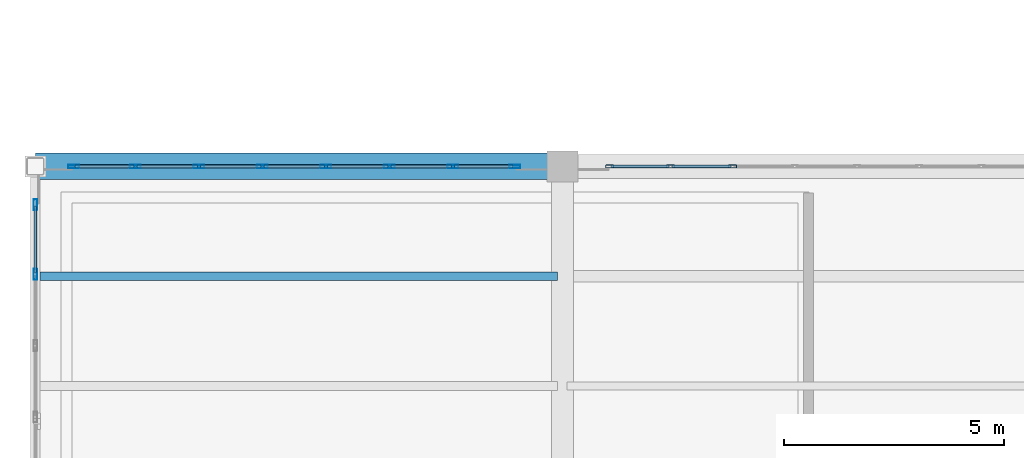
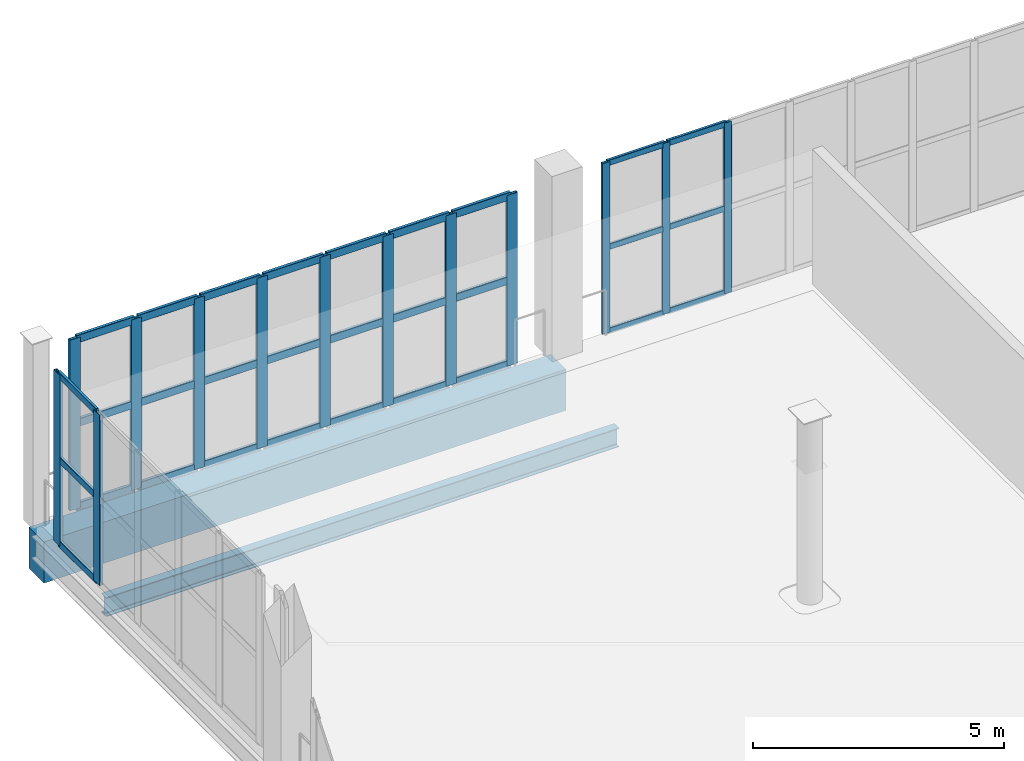
# One storey, part 19 of 108: 43 members, 2 beams, 3 elements without a shape of their own.
"""IFC4 building model written with IfcOpenShell, lengths in metres."""

from ifc_helpers import new_model, si_unit, direction, frame, origin, origin_2d, place, context, subcontext, project, spatial, rectangle, hollow_rectangle, i_section, extrude, material, layer, layer_set, material_profile, profile_set, type_object, element, aggregate, save


model = new_model("IFC4")

# Units and contexts
model_context = context("Model", 3, precision=1e-05, world=origin(), true_north=direction((0.0, 1.0)))
body_context = subcontext(model_context, "Body", "Model", "MODEL_VIEW")
ifc_project = project(units=[si_unit("LENGTHUNIT", "METRE"), si_unit("AREAUNIT", "SQUARE_METRE"), si_unit("VOLUMEUNIT", "CUBIC_METRE"), si_unit("PLANEANGLEUNIT", "RADIAN"), si_unit("MASSUNIT", "GRAM", prefix="KILO")], contexts=[model_context])

# Site, building, storey
site_placement = place(None, origin())
site = spatial("IfcSite", under=ifc_project, at=site_placement, CompositionType="ELEMENT")
building_placement = place(site_placement, origin())
building = spatial("IfcBuilding", under=site, at=building_placement, Name="Brinegate Civic Arena", CompositionType="ELEMENT")
storey_placement = place(building_placement, frame((0.0, 0.0, 10.199951171875)))
storey = spatial("IfcBuildingStorey", under=building, at=storey_placement, Name="L02", CompositionType="ELEMENT", Elevation=10.199951171875)

# Curtain wall, members
ifc_material_1 = material(Name="Marine grade aluminium", Category="aluminium")
ifc_layer = layer(ifc_material_1, 0.18505859375, Name="Marine grade aluminium")
ifc_layer_set = layer_set([ifc_layer], Name="Marine grade aluminium")
curtain_wall_type = type_object("IfcCurtainWallType", Name="CW-WING-GLAZED-03", PredefinedType="USERDEFINED", material=ifc_layer_set)
curtain_wall_1_placement = place(storey_placement, origin())
curtain_wall_1 = element("IfcCurtainWall", 1, at=curtain_wall_1_placement, inside=storey, type_object=curtain_wall_type, Name="Curtain Wall CWA-022", ObjectType="GLAZED CURTAIN WALL", PredefinedType="USERDEFINED")
ifc_material_profile_1 = material_profile(ifc_material_1, hollow_rectangle(XDim=0.06494140625, YDim=0.179931640625, WallThickness=0.0048828125, InnerFilletRadius=0.00390625, OuterFilletRadius=0.008056640625, at=origin_2d()), Name="MUL65X180")
ifc_profile_set_1 = profile_set([ifc_material_profile_1], Name="Marine grade aluminium")
member_type_1 = type_object("IfcMemberType", Name="CW-MULLION-65X180", PredefinedType="MULLION", material=ifc_profile_set_1)
member_1_placement = place(storey_placement, frame((13.077392578125, 52.0, 0.0), z_axis=(0.0, 0.0, 1.0), x_axis=(0.0, 1.0, 0.0)))
member_1 = element("IfcMember", 2, at=member_1_placement, type_object=member_type_1, Name="CWA-022 mullion 1", PredefinedType="MULLION", context=body_context, shape_type="SweptSolid", body=[
    extrude(hollow_rectangle(XDim=0.06494140625, YDim=0.179931640625, WallThickness=0.0048828125, InnerFilletRadius=0.00390625, OuterFilletRadius=0.008056640625, at=origin_2d()), origin(), (0.0, 0.0, 1.0), 4.150146484375),
])
member_2_placement = place(storey_placement, frame((14.460693359375, 52.0, 0.0), z_axis=(0.0, 0.0, 1.0), x_axis=(0.0, 1.0, 0.0)))
member_2 = element("IfcMember", 3, at=member_2_placement, type_object=member_type_1, Name="CWA-022 mullion 2", PredefinedType="MULLION", context=body_context, shape_type="SweptSolid", body=[
    extrude(hollow_rectangle(XDim=0.06494140625, YDim=0.179931640625, WallThickness=0.0048828125, InnerFilletRadius=0.00390625, OuterFilletRadius=0.008056640625, at=origin_2d()), origin(), (0.0, 0.0, 1.0), 4.150146484375),
])
member_3_placement = place(storey_placement, frame((15.87646484375, 52.0, 0.0), z_axis=(0.0, 0.0, 1.0), x_axis=(0.0, 1.0, 0.0)))
member_3 = element("IfcMember", 4, at=member_3_placement, type_object=member_type_1, Name="CWA-022 mullion 3", PredefinedType="MULLION", context=body_context, shape_type="SweptSolid", body=[
    extrude(hollow_rectangle(XDim=0.06494140625, YDim=0.179931640625, WallThickness=0.0048828125, InnerFilletRadius=0.00390625, OuterFilletRadius=0.008056640625, at=origin_2d()), origin(), (0.0, 0.0, 1.0), 4.150146484375),
])

curtain_wall_2_placement = place(storey_placement, origin())
curtain_wall_2 = element("IfcCurtainWall", 5, at=curtain_wall_2_placement, inside=storey, type_object=curtain_wall_type, Name="Curtain Wall CWA-021", ObjectType="GLAZED CURTAIN WALL", PredefinedType="USERDEFINED")
ifc_material_profile_2 = material_profile(ifc_material_1, hollow_rectangle(XDim=0.074951171875, YDim=0.25, WallThickness=0.006103515625, InnerFilletRadius=0.00390625, OuterFilletRadius=0.008056640625, at=origin_2d()), Name="MUL75X250")
ifc_profile_set_2 = profile_set([ifc_material_profile_2], Name="Marine grade aluminium")
member_type_2 = type_object("IfcMemberType", Name="CW-MULLION-75X250", PredefinedType="MULLION", material=ifc_profile_set_2)
member_4_placement = place(storey_placement, frame((0.0, 49.54248046875, 0.0), z_axis=(0.0, 0.0, 1.0), x_axis=(-1.0, 0.0, 0.0)))
member_4 = element("IfcMember", 6, at=member_4_placement, type_object=member_type_2, Name="CWA-021 mullion 5", PredefinedType="MULLION", context=body_context, shape_type="SweptSolid", body=[
    extrude(hollow_rectangle(XDim=0.074951171875, YDim=0.25, WallThickness=0.006103515625, InnerFilletRadius=0.00390625, OuterFilletRadius=0.008056640625, at=origin_2d()), origin(), (0.0, 0.0, 1.0), 4.150146484375),
])
member_5_placement = place(storey_placement, frame((0.0, 51.12939453125, 0.0), z_axis=(0.0, 0.0, 1.0), x_axis=(-1.0, 0.0, 0.0)))
member_5 = element("IfcMember", 7, at=member_5_placement, type_object=member_type_2, Name="CWA-021 mullion 6", PredefinedType="MULLION", context=body_context, shape_type="SweptSolid", body=[
    extrude(hollow_rectangle(XDim=0.074951171875, YDim=0.25, WallThickness=0.006103515625, InnerFilletRadius=0.00390625, OuterFilletRadius=0.008056640625, at=origin_2d()), origin(), (0.0, 0.0, 1.0), 4.150146484375),
])

curtain_wall_3_placement = place(storey_placement, origin())
curtain_wall_3 = element("IfcCurtainWall", 8, at=curtain_wall_3_placement, inside=storey, type_object=curtain_wall_type, Name="Curtain Wall CWA-094", ObjectType="GLAZED CURTAIN WALL", PredefinedType="USERDEFINED")
member_6_placement = place(storey_placement, frame((0.87060546875, 52.0, 0.0), z_axis=(0.0, 0.0, 1.0), x_axis=(0.0, 1.0, 0.0)))
member_6 = element("IfcMember", 9, at=member_6_placement, type_object=member_type_2, Name="CWA-094 mullion 1", PredefinedType="MULLION", context=body_context, shape_type="SweptSolid", body=[
    extrude(hollow_rectangle(XDim=0.074951171875, YDim=0.25, WallThickness=0.006103515625, InnerFilletRadius=0.00390625, OuterFilletRadius=0.008056640625, at=origin_2d()), origin(), (0.0, 0.0, 1.0), 4.150146484375),
])
member_7_placement = place(storey_placement, frame((2.279052734375, 52.0, 0.0), z_axis=(0.0, 0.0, 1.0), x_axis=(0.0, 1.0, 0.0)))
member_7 = element("IfcMember", 10, at=member_7_placement, type_object=member_type_2, Name="CWA-094 mullion 2", PredefinedType="MULLION", context=body_context, shape_type="SweptSolid", body=[
    extrude(hollow_rectangle(XDim=0.074951171875, YDim=0.25, WallThickness=0.006103515625, InnerFilletRadius=0.00390625, OuterFilletRadius=0.008056640625, at=origin_2d()), origin(), (0.0, 0.0, 1.0), 4.150146484375),
])
member_8_placement = place(storey_placement, frame((3.72509765625, 52.0, 0.0), z_axis=(0.0, 0.0, 1.0), x_axis=(0.0, 1.0, 0.0)))
member_8 = element("IfcMember", 11, at=member_8_placement, type_object=member_type_2, Name="CWA-094 mullion 3", PredefinedType="MULLION", context=body_context, shape_type="SweptSolid", body=[
    extrude(hollow_rectangle(XDim=0.074951171875, YDim=0.25, WallThickness=0.006103515625, InnerFilletRadius=0.00390625, OuterFilletRadius=0.008056640625, at=origin_2d()), origin(), (0.0, 0.0, 1.0), 4.150146484375),
])
member_9_placement = place(storey_placement, frame((5.1708984375, 52.0, 0.0), z_axis=(0.0, 0.0, 1.0), x_axis=(0.0, 1.0, 0.0)))
member_9 = element("IfcMember", 12, at=member_9_placement, type_object=member_type_2, Name="CWA-094 mullion 4", PredefinedType="MULLION", context=body_context, shape_type="SweptSolid", body=[
    extrude(hollow_rectangle(XDim=0.074951171875, YDim=0.25, WallThickness=0.006103515625, InnerFilletRadius=0.00390625, OuterFilletRadius=0.008056640625, at=origin_2d()), origin(), (0.0, 0.0, 1.0), 4.150146484375),
])
member_10_placement = place(storey_placement, frame((6.616943359375, 52.0, 0.0), z_axis=(0.0, 0.0, 1.0), x_axis=(0.0, 1.0, 0.0)))
member_10 = element("IfcMember", 13, at=member_10_placement, type_object=member_type_2, Name="CWA-094 mullion 5", PredefinedType="MULLION", context=body_context, shape_type="SweptSolid", body=[
    extrude(hollow_rectangle(XDim=0.074951171875, YDim=0.25, WallThickness=0.006103515625, InnerFilletRadius=0.00390625, OuterFilletRadius=0.008056640625, at=origin_2d()), origin(), (0.0, 0.0, 1.0), 4.150146484375),
])
member_11_placement = place(storey_placement, frame((8.06298828125, 52.0, 0.0), z_axis=(0.0, 0.0, 1.0), x_axis=(0.0, 1.0, 0.0)))
member_11 = element("IfcMember", 14, at=member_11_placement, type_object=member_type_2, Name="CWA-094 mullion 6", PredefinedType="MULLION", context=body_context, shape_type="SweptSolid", body=[
    extrude(hollow_rectangle(XDim=0.074951171875, YDim=0.25, WallThickness=0.006103515625, InnerFilletRadius=0.00390625, OuterFilletRadius=0.008056640625, at=origin_2d()), origin(), (0.0, 0.0, 1.0), 4.150146484375),
])
member_12_placement = place(storey_placement, frame((9.509033203125, 52.0, 0.0), z_axis=(0.0, 0.0, 1.0), x_axis=(0.0, 1.0, 0.0)))
member_12 = element("IfcMember", 15, at=member_12_placement, type_object=member_type_2, Name="CWA-094 mullion 7", PredefinedType="MULLION", context=body_context, shape_type="SweptSolid", body=[
    extrude(hollow_rectangle(XDim=0.074951171875, YDim=0.25, WallThickness=0.006103515625, InnerFilletRadius=0.00390625, OuterFilletRadius=0.008056640625, at=origin_2d()), origin(), (0.0, 0.0, 1.0), 4.150146484375),
])
member_13_placement = place(storey_placement, frame((10.91748046875, 52.0, 0.0), z_axis=(0.0, 0.0, 1.0), x_axis=(0.0, 1.0, 0.0)))
member_13 = element("IfcMember", 16, at=member_13_placement, type_object=member_type_2, Name="CWA-094 mullion 8", PredefinedType="MULLION", context=body_context, shape_type="SweptSolid", body=[
    extrude(hollow_rectangle(XDim=0.074951171875, YDim=0.25, WallThickness=0.006103515625, InnerFilletRadius=0.00390625, OuterFilletRadius=0.008056640625, at=origin_2d()), origin(), (0.0, 0.0, 1.0), 4.150146484375),
])

# Member
ifc_material_profile_3 = material_profile(ifc_material_1, hollow_rectangle(XDim=0.06494140625, YDim=0.139892578125, WallThickness=0.0048828125, InnerFilletRadius=0.00390625, OuterFilletRadius=0.008056640625, at=origin_2d()), Name="TRN65X140")
ifc_profile_set_3 = profile_set([ifc_material_profile_3], Name="Marine grade aluminium")
member_type_3 = type_object("IfcMemberType", Name="CW-TRANSOM-65X140", PredefinedType="USERDEFINED", material=ifc_profile_set_3)
member_14_placement = place(storey_placement, frame((13.110107421875, 52.0, 0.032470703125), z_axis=(1.0, 0.0, 0.0), x_axis=(0.0, 1.0, 0.0)))
member_14 = element("IfcMember", 17, at=member_14_placement, type_object=member_type_3, Name="CWA-022 transom 1.1", ObjectType="TRANSOM", PredefinedType="USERDEFINED", context=body_context, shape_type="SweptSolid", body=[
    extrude(hollow_rectangle(XDim=0.06494140625, YDim=0.139892578125, WallThickness=0.0048828125, InnerFilletRadius=0.00390625, OuterFilletRadius=0.008056640625, at=origin_2d()), origin(), (0.0, 0.0, 1.0), 1.318115234375),
])

member_15_placement = place(storey_placement, frame((13.110107421875, 52.0, 2.074951171875), z_axis=(1.0, 0.0, 0.0), x_axis=(0.0, 1.0, 0.0)))
member_15 = element("IfcMember", 18, at=member_15_placement, type_object=member_type_3, Name="CWA-022 transom 1.2", ObjectType="TRANSOM", PredefinedType="USERDEFINED", context=body_context, shape_type="SweptSolid", body=[
    extrude(hollow_rectangle(XDim=0.06494140625, YDim=0.139892578125, WallThickness=0.0048828125, InnerFilletRadius=0.00390625, OuterFilletRadius=0.008056640625, at=origin_2d()), origin(), (0.0, 0.0, 1.0), 1.318115234375),
])

member_16_placement = place(storey_placement, frame((13.110107421875, 52.0, 4.117431640625), z_axis=(1.0, 0.0, 0.0), x_axis=(0.0, 1.0, 0.0)))
member_16 = element("IfcMember", 19, at=member_16_placement, type_object=member_type_3, Name="CWA-022 transom 1.3", ObjectType="TRANSOM", PredefinedType="USERDEFINED", context=body_context, shape_type="SweptSolid", body=[
    extrude(hollow_rectangle(XDim=0.06494140625, YDim=0.139892578125, WallThickness=0.0048828125, InnerFilletRadius=0.00390625, OuterFilletRadius=0.008056640625, at=origin_2d()), origin(), (0.0, 0.0, 1.0), 1.318115234375),
])

member_17_placement = place(storey_placement, frame((14.4931640625, 52.0, 0.032470703125), z_axis=(1.0, 0.0, 0.0), x_axis=(0.0, 1.0, 0.0)))
member_17 = element("IfcMember", 20, at=member_17_placement, type_object=member_type_3, Name="CWA-022 transom 2.1", ObjectType="TRANSOM", PredefinedType="USERDEFINED", context=body_context, shape_type="SweptSolid", body=[
    extrude(hollow_rectangle(XDim=0.06494140625, YDim=0.139892578125, WallThickness=0.0048828125, InnerFilletRadius=0.00390625, OuterFilletRadius=0.008056640625, at=origin_2d()), origin(), (0.0, 0.0, 1.0), 1.350830078125),
])

member_18_placement = place(storey_placement, frame((14.4931640625, 52.0, 2.074951171875), z_axis=(1.0, 0.0, 0.0), x_axis=(0.0, 1.0, 0.0)))
member_18 = element("IfcMember", 21, at=member_18_placement, type_object=member_type_3, Name="CWA-022 transom 2.2", ObjectType="TRANSOM", PredefinedType="USERDEFINED", context=body_context, shape_type="SweptSolid", body=[
    extrude(hollow_rectangle(XDim=0.06494140625, YDim=0.139892578125, WallThickness=0.0048828125, InnerFilletRadius=0.00390625, OuterFilletRadius=0.008056640625, at=origin_2d()), origin(), (0.0, 0.0, 1.0), 1.350830078125),
])

member_19_placement = place(storey_placement, frame((14.4931640625, 52.0, 4.117431640625), z_axis=(1.0, 0.0, 0.0), x_axis=(0.0, 1.0, 0.0)))
member_19 = element("IfcMember", 22, at=member_19_placement, type_object=member_type_3, Name="CWA-022 transom 2.3", ObjectType="TRANSOM", PredefinedType="USERDEFINED", context=body_context, shape_type="SweptSolid", body=[
    extrude(hollow_rectangle(XDim=0.06494140625, YDim=0.139892578125, WallThickness=0.0048828125, InnerFilletRadius=0.00390625, OuterFilletRadius=0.008056640625, at=origin_2d()), origin(), (0.0, 0.0, 1.0), 1.350830078125),
])

aggregate(curtain_wall_1, [member_1, member_2, member_3, member_14, member_15, member_16, member_17, member_18, member_19])

ifc_material_profile_4 = material_profile(ifc_material_1, hollow_rectangle(XDim=0.06494140625, YDim=0.1650390625, WallThickness=0.0048828125, InnerFilletRadius=0.00390625, OuterFilletRadius=0.008056640625, at=origin_2d()), Name="TRN65X165")
ifc_profile_set_4 = profile_set([ifc_material_profile_4], Name="Marine grade aluminium")
member_type_4 = type_object("IfcMemberType", Name="CW-TRANSOM-65X165", PredefinedType="USERDEFINED", material=ifc_profile_set_4)
member_20_placement = place(storey_placement, frame((0.0, 49.580078125, 0.032470703125), z_axis=(0.0, 1.0, 0.0), x_axis=(-1.0, 0.0, 0.0)))
member_20 = element("IfcMember", 23, at=member_20_placement, type_object=member_type_4, Name="CWA-021 transom 5.1", ObjectType="TRANSOM", PredefinedType="USERDEFINED", context=body_context, shape_type="SweptSolid", body=[
    extrude(hollow_rectangle(XDim=0.06494140625, YDim=0.1650390625, WallThickness=0.0048828125, InnerFilletRadius=0.00390625, OuterFilletRadius=0.008056640625, at=origin_2d()), origin(), (0.0, 0.0, 1.0), 1.511962890625),
])

member_21_placement = place(storey_placement, frame((0.0, 49.580078125, 2.074951171875), z_axis=(0.0, 1.0, 0.0), x_axis=(-1.0, 0.0, 0.0)))
member_21 = element("IfcMember", 24, at=member_21_placement, type_object=member_type_4, Name="CWA-021 transom 5.2", ObjectType="TRANSOM", PredefinedType="USERDEFINED", context=body_context, shape_type="SweptSolid", body=[
    extrude(hollow_rectangle(XDim=0.06494140625, YDim=0.1650390625, WallThickness=0.0048828125, InnerFilletRadius=0.00390625, OuterFilletRadius=0.008056640625, at=origin_2d()), origin(), (0.0, 0.0, 1.0), 1.511962890625),
])

member_22_placement = place(storey_placement, frame((0.0, 49.580078125, 4.117431640625), z_axis=(0.0, 1.0, 0.0), x_axis=(-1.0, 0.0, 0.0)))
member_22 = element("IfcMember", 25, at=member_22_placement, type_object=member_type_4, Name="CWA-021 transom 5.3", ObjectType="TRANSOM", PredefinedType="USERDEFINED", context=body_context, shape_type="SweptSolid", body=[
    extrude(hollow_rectangle(XDim=0.06494140625, YDim=0.1650390625, WallThickness=0.0048828125, InnerFilletRadius=0.00390625, OuterFilletRadius=0.008056640625, at=origin_2d()), origin(), (0.0, 0.0, 1.0), 1.511962890625),
])

aggregate(curtain_wall_2, [member_4, member_5, member_20, member_21, member_22])

ifc_material_profile_5 = material_profile(ifc_material_1, hollow_rectangle(XDim=0.074951171875, YDim=0.18994140625, WallThickness=0.006103515625, InnerFilletRadius=0.00390625, OuterFilletRadius=0.008056640625, at=origin_2d()), Name="TRN75X190")
ifc_profile_set_5 = profile_set([ifc_material_profile_5], Name="Marine grade aluminium")
member_type_5 = type_object("IfcMemberType", Name="CW-TRANSOM-75X190", PredefinedType="USERDEFINED", material=ifc_profile_set_5)
member_23_placement = place(storey_placement, frame((0.907958984375, 52.0, 0.03759765625), z_axis=(1.0, 0.0, 0.0), x_axis=(0.0, 1.0, 0.0)))
member_23 = element("IfcMember", 26, at=member_23_placement, type_object=member_type_5, Name="CWA-094 transom 1.1", ObjectType="TRANSOM", PredefinedType="USERDEFINED", context=body_context, shape_type="SweptSolid", body=[
    extrude(hollow_rectangle(XDim=0.074951171875, YDim=0.18994140625, WallThickness=0.006103515625, InnerFilletRadius=0.00390625, OuterFilletRadius=0.008056640625, at=origin_2d()), origin(), (0.0, 0.0, 1.0), 1.33349609375),
])

member_24_placement = place(storey_placement, frame((0.907958984375, 52.0, 2.074951171875), z_axis=(1.0, 0.0, 0.0), x_axis=(0.0, 1.0, 0.0)))
member_24 = element("IfcMember", 27, at=member_24_placement, type_object=member_type_5, Name="CWA-094 transom 1.2", ObjectType="TRANSOM", PredefinedType="USERDEFINED", context=body_context, shape_type="SweptSolid", body=[
    extrude(hollow_rectangle(XDim=0.074951171875, YDim=0.18994140625, WallThickness=0.006103515625, InnerFilletRadius=0.00390625, OuterFilletRadius=0.008056640625, at=origin_2d()), origin(), (0.0, 0.0, 1.0), 1.33349609375),
])

member_25_placement = place(storey_placement, frame((0.907958984375, 52.0, 4.112548828125), z_axis=(1.0, 0.0, 0.0), x_axis=(0.0, 1.0, 0.0)))
member_25 = element("IfcMember", 28, at=member_25_placement, type_object=member_type_5, Name="CWA-094 transom 1.3", ObjectType="TRANSOM", PredefinedType="USERDEFINED", context=body_context, shape_type="SweptSolid", body=[
    extrude(hollow_rectangle(XDim=0.074951171875, YDim=0.18994140625, WallThickness=0.006103515625, InnerFilletRadius=0.00390625, OuterFilletRadius=0.008056640625, at=origin_2d()), origin(), (0.0, 0.0, 1.0), 1.33349609375),
])

member_26_placement = place(storey_placement, frame((2.31640625, 52.0, 0.03759765625), z_axis=(1.0, 0.0, 0.0), x_axis=(0.0, 1.0, 0.0)))
member_26 = element("IfcMember", 29, at=member_26_placement, type_object=member_type_5, Name="CWA-094 transom 2.1", ObjectType="TRANSOM", PredefinedType="USERDEFINED", context=body_context, shape_type="SweptSolid", body=[
    extrude(hollow_rectangle(XDim=0.074951171875, YDim=0.18994140625, WallThickness=0.006103515625, InnerFilletRadius=0.00390625, OuterFilletRadius=0.008056640625, at=origin_2d()), origin(), (0.0, 0.0, 1.0), 1.37109375),
])

member_27_placement = place(storey_placement, frame((2.31640625, 52.0, 2.074951171875), z_axis=(1.0, 0.0, 0.0), x_axis=(0.0, 1.0, 0.0)))
member_27 = element("IfcMember", 30, at=member_27_placement, type_object=member_type_5, Name="CWA-094 transom 2.2", ObjectType="TRANSOM", PredefinedType="USERDEFINED", context=body_context, shape_type="SweptSolid", body=[
    extrude(hollow_rectangle(XDim=0.074951171875, YDim=0.18994140625, WallThickness=0.006103515625, InnerFilletRadius=0.00390625, OuterFilletRadius=0.008056640625, at=origin_2d()), origin(), (0.0, 0.0, 1.0), 1.37109375),
])

member_28_placement = place(storey_placement, frame((2.31640625, 52.0, 4.112548828125), z_axis=(1.0, 0.0, 0.0), x_axis=(0.0, 1.0, 0.0)))
member_28 = element("IfcMember", 31, at=member_28_placement, type_object=member_type_5, Name="CWA-094 transom 2.3", ObjectType="TRANSOM", PredefinedType="USERDEFINED", context=body_context, shape_type="SweptSolid", body=[
    extrude(hollow_rectangle(XDim=0.074951171875, YDim=0.18994140625, WallThickness=0.006103515625, InnerFilletRadius=0.00390625, OuterFilletRadius=0.008056640625, at=origin_2d()), origin(), (0.0, 0.0, 1.0), 1.37109375),
])

member_29_placement = place(storey_placement, frame((3.762451171875, 52.0, 0.03759765625), z_axis=(1.0, 0.0, 0.0), x_axis=(0.0, 1.0, 0.0)))
member_29 = element("IfcMember", 32, at=member_29_placement, type_object=member_type_5, Name="CWA-094 transom 3.1", ObjectType="TRANSOM", PredefinedType="USERDEFINED", context=body_context, shape_type="SweptSolid", body=[
    extrude(hollow_rectangle(XDim=0.074951171875, YDim=0.18994140625, WallThickness=0.006103515625, InnerFilletRadius=0.00390625, OuterFilletRadius=0.008056640625, at=origin_2d()), origin(), (0.0, 0.0, 1.0), 1.37109375),
])

member_30_placement = place(storey_placement, frame((3.762451171875, 52.0, 2.074951171875), z_axis=(1.0, 0.0, 0.0), x_axis=(0.0, 1.0, 0.0)))
member_30 = element("IfcMember", 33, at=member_30_placement, type_object=member_type_5, Name="CWA-094 transom 3.2", ObjectType="TRANSOM", PredefinedType="USERDEFINED", context=body_context, shape_type="SweptSolid", body=[
    extrude(hollow_rectangle(XDim=0.074951171875, YDim=0.18994140625, WallThickness=0.006103515625, InnerFilletRadius=0.00390625, OuterFilletRadius=0.008056640625, at=origin_2d()), origin(), (0.0, 0.0, 1.0), 1.37109375),
])

member_31_placement = place(storey_placement, frame((3.762451171875, 52.0, 4.112548828125), z_axis=(1.0, 0.0, 0.0), x_axis=(0.0, 1.0, 0.0)))
member_31 = element("IfcMember", 34, at=member_31_placement, type_object=member_type_5, Name="CWA-094 transom 3.3", ObjectType="TRANSOM", PredefinedType="USERDEFINED", context=body_context, shape_type="SweptSolid", body=[
    extrude(hollow_rectangle(XDim=0.074951171875, YDim=0.18994140625, WallThickness=0.006103515625, InnerFilletRadius=0.00390625, OuterFilletRadius=0.008056640625, at=origin_2d()), origin(), (0.0, 0.0, 1.0), 1.37109375),
])

member_32_placement = place(storey_placement, frame((5.20849609375, 52.0, 0.03759765625), z_axis=(1.0, 0.0, 0.0), x_axis=(0.0, 1.0, 0.0)))
member_32 = element("IfcMember", 35, at=member_32_placement, type_object=member_type_5, Name="CWA-094 transom 4.1", ObjectType="TRANSOM", PredefinedType="USERDEFINED", context=body_context, shape_type="SweptSolid", body=[
    extrude(hollow_rectangle(XDim=0.074951171875, YDim=0.18994140625, WallThickness=0.006103515625, InnerFilletRadius=0.00390625, OuterFilletRadius=0.008056640625, at=origin_2d()), origin(), (0.0, 0.0, 1.0), 1.37109375),
])

member_33_placement = place(storey_placement, frame((5.20849609375, 52.0, 2.074951171875), z_axis=(1.0, 0.0, 0.0), x_axis=(0.0, 1.0, 0.0)))
member_33 = element("IfcMember", 36, at=member_33_placement, type_object=member_type_5, Name="CWA-094 transom 4.2", ObjectType="TRANSOM", PredefinedType="USERDEFINED", context=body_context, shape_type="SweptSolid", body=[
    extrude(hollow_rectangle(XDim=0.074951171875, YDim=0.18994140625, WallThickness=0.006103515625, InnerFilletRadius=0.00390625, OuterFilletRadius=0.008056640625, at=origin_2d()), origin(), (0.0, 0.0, 1.0), 1.37109375),
])

member_34_placement = place(storey_placement, frame((5.20849609375, 52.0, 4.112548828125), z_axis=(1.0, 0.0, 0.0), x_axis=(0.0, 1.0, 0.0)))
member_34 = element("IfcMember", 37, at=member_34_placement, type_object=member_type_5, Name="CWA-094 transom 4.3", ObjectType="TRANSOM", PredefinedType="USERDEFINED", context=body_context, shape_type="SweptSolid", body=[
    extrude(hollow_rectangle(XDim=0.074951171875, YDim=0.18994140625, WallThickness=0.006103515625, InnerFilletRadius=0.00390625, OuterFilletRadius=0.008056640625, at=origin_2d()), origin(), (0.0, 0.0, 1.0), 1.37109375),
])

member_35_placement = place(storey_placement, frame((6.654541015625, 52.0, 0.03759765625), z_axis=(1.0, 0.0, 0.0), x_axis=(0.0, 1.0, 0.0)))
member_35 = element("IfcMember", 38, at=member_35_placement, type_object=member_type_5, Name="CWA-094 transom 5.1", ObjectType="TRANSOM", PredefinedType="USERDEFINED", context=body_context, shape_type="SweptSolid", body=[
    extrude(hollow_rectangle(XDim=0.074951171875, YDim=0.18994140625, WallThickness=0.006103515625, InnerFilletRadius=0.00390625, OuterFilletRadius=0.008056640625, at=origin_2d()), origin(), (0.0, 0.0, 1.0), 1.370849609375),
])

member_36_placement = place(storey_placement, frame((6.654541015625, 52.0, 2.074951171875), z_axis=(1.0, 0.0, 0.0), x_axis=(0.0, 1.0, 0.0)))
member_36 = element("IfcMember", 39, at=member_36_placement, type_object=member_type_5, Name="CWA-094 transom 5.2", ObjectType="TRANSOM", PredefinedType="USERDEFINED", context=body_context, shape_type="SweptSolid", body=[
    extrude(hollow_rectangle(XDim=0.074951171875, YDim=0.18994140625, WallThickness=0.006103515625, InnerFilletRadius=0.00390625, OuterFilletRadius=0.008056640625, at=origin_2d()), origin(), (0.0, 0.0, 1.0), 1.370849609375),
])

member_37_placement = place(storey_placement, frame((6.654541015625, 52.0, 4.112548828125), z_axis=(1.0, 0.0, 0.0), x_axis=(0.0, 1.0, 0.0)))
member_37 = element("IfcMember", 40, at=member_37_placement, type_object=member_type_5, Name="CWA-094 transom 5.3", ObjectType="TRANSOM", PredefinedType="USERDEFINED", context=body_context, shape_type="SweptSolid", body=[
    extrude(hollow_rectangle(XDim=0.074951171875, YDim=0.18994140625, WallThickness=0.006103515625, InnerFilletRadius=0.00390625, OuterFilletRadius=0.008056640625, at=origin_2d()), origin(), (0.0, 0.0, 1.0), 1.370849609375),
])

member_38_placement = place(storey_placement, frame((8.1005859375, 52.0, 0.03759765625), z_axis=(1.0, 0.0, 0.0), x_axis=(0.0, 1.0, 0.0)))
member_38 = element("IfcMember", 41, at=member_38_placement, type_object=member_type_5, Name="CWA-094 transom 6.1", ObjectType="TRANSOM", PredefinedType="USERDEFINED", context=body_context, shape_type="SweptSolid", body=[
    extrude(hollow_rectangle(XDim=0.074951171875, YDim=0.18994140625, WallThickness=0.006103515625, InnerFilletRadius=0.00390625, OuterFilletRadius=0.008056640625, at=origin_2d()), origin(), (0.0, 0.0, 1.0), 1.370849609375),
])

member_39_placement = place(storey_placement, frame((8.1005859375, 52.0, 2.074951171875), z_axis=(1.0, 0.0, 0.0), x_axis=(0.0, 1.0, 0.0)))
member_39 = element("IfcMember", 42, at=member_39_placement, type_object=member_type_5, Name="CWA-094 transom 6.2", ObjectType="TRANSOM", PredefinedType="USERDEFINED", context=body_context, shape_type="SweptSolid", body=[
    extrude(hollow_rectangle(XDim=0.074951171875, YDim=0.18994140625, WallThickness=0.006103515625, InnerFilletRadius=0.00390625, OuterFilletRadius=0.008056640625, at=origin_2d()), origin(), (0.0, 0.0, 1.0), 1.370849609375),
])

member_40_placement = place(storey_placement, frame((8.1005859375, 52.0, 4.112548828125), z_axis=(1.0, 0.0, 0.0), x_axis=(0.0, 1.0, 0.0)))
member_40 = element("IfcMember", 43, at=member_40_placement, type_object=member_type_5, Name="CWA-094 transom 6.3", ObjectType="TRANSOM", PredefinedType="USERDEFINED", context=body_context, shape_type="SweptSolid", body=[
    extrude(hollow_rectangle(XDim=0.074951171875, YDim=0.18994140625, WallThickness=0.006103515625, InnerFilletRadius=0.00390625, OuterFilletRadius=0.008056640625, at=origin_2d()), origin(), (0.0, 0.0, 1.0), 1.370849609375),
])

member_41_placement = place(storey_placement, frame((9.54638671875, 52.0, 0.03759765625), z_axis=(1.0, 0.0, 0.0), x_axis=(0.0, 1.0, 0.0)))
member_41 = element("IfcMember", 44, at=member_41_placement, type_object=member_type_5, Name="CWA-094 transom 7.1", ObjectType="TRANSOM", PredefinedType="USERDEFINED", context=body_context, shape_type="SweptSolid", body=[
    extrude(hollow_rectangle(XDim=0.074951171875, YDim=0.18994140625, WallThickness=0.006103515625, InnerFilletRadius=0.00390625, OuterFilletRadius=0.008056640625, at=origin_2d()), origin(), (0.0, 0.0, 1.0), 1.33349609375),
])

member_42_placement = place(storey_placement, frame((9.54638671875, 52.0, 2.074951171875), z_axis=(1.0, 0.0, 0.0), x_axis=(0.0, 1.0, 0.0)))
member_42 = element("IfcMember", 45, at=member_42_placement, type_object=member_type_5, Name="CWA-094 transom 7.2", ObjectType="TRANSOM", PredefinedType="USERDEFINED", context=body_context, shape_type="SweptSolid", body=[
    extrude(hollow_rectangle(XDim=0.074951171875, YDim=0.18994140625, WallThickness=0.006103515625, InnerFilletRadius=0.00390625, OuterFilletRadius=0.008056640625, at=origin_2d()), origin(), (0.0, 0.0, 1.0), 1.33349609375),
])

member_43_placement = place(storey_placement, frame((9.54638671875, 52.0, 4.112548828125), z_axis=(1.0, 0.0, 0.0), x_axis=(0.0, 1.0, 0.0)))
member_43 = element("IfcMember", 46, at=member_43_placement, type_object=member_type_5, Name="CWA-094 transom 7.3", ObjectType="TRANSOM", PredefinedType="USERDEFINED", context=body_context, shape_type="SweptSolid", body=[
    extrude(hollow_rectangle(XDim=0.074951171875, YDim=0.18994140625, WallThickness=0.006103515625, InnerFilletRadius=0.00390625, OuterFilletRadius=0.008056640625, at=origin_2d()), origin(), (0.0, 0.0, 1.0), 1.33349609375),
])

aggregate(curtain_wall_3, [member_6, member_7, member_8, member_9, member_10, member_11, member_12, member_13, member_23, member_24, member_25, member_26, member_27, member_28, member_29, member_30, member_31, member_32, member_33, member_34, member_35, member_36, member_37, member_38, member_39, member_40, member_41, member_42, member_43])

# Beams
ifc_material_2 = material(Name="Steel S355", Category="steel")
ifc_material_profile_6 = material_profile(ifc_material_2, i_section(OverallWidth=0.19091796875, OverallDepth=0.4599609375, WebThickness=0.010009765625, FlangeThickness=0.01611328125, FilletRadius=0.014892578125, at=origin_2d()), Name="W460X82")
ifc_profile_set_6 = profile_set([ifc_material_profile_6], Name="Steel S355")
beam_type_1 = type_object("IfcBeamType", Name="JOIST-W460X82", PredefinedType="JOIST", material=ifc_profile_set_6)
beam_1_placement = place(storey_placement, frame((0.10595703125, 49.5, -0.56005859375), z_axis=(1.0, 0.0, 0.0), x_axis=(0.0, 1.0, 0.0)))
element("IfcBeam", 47, at=beam_1_placement, inside=storey, type_object=beam_type_1, Name="Secondary Joist BM-L02-JX-00-04-3", PredefinedType="JOIST", context=body_context, shape_type="SweptSolid", body=[
    extrude(i_section(OverallWidth=0.19091796875, OverallDepth=0.4599609375, WebThickness=0.010009765625, FlangeThickness=0.01611328125, FilletRadius=0.014892578125, at=origin_2d()), origin(), (0.0, 0.0, 1.0), 11.7880859375),
])
ifc_material_3 = material(Name="Concrete C50/60", Category="concrete")
ifc_material_profile_7 = material_profile(ifc_material_3, rectangle(XDim=0.60009765625, YDim=1.0, at=origin_2d()), Name="RCB600X1000")
ifc_profile_set_7 = profile_set([ifc_material_profile_7], Name="Concrete C50/60")
beam_type_2 = type_object("IfcBeamType", Name="RCG-600X1000", PredefinedType="BEAM", material=ifc_profile_set_7)
beam_2_placement = place(storey_placement, frame((0.0, 52.0, -0.829833984375), z_axis=(1.0, 0.0, 0.0), x_axis=(0.0, 1.0, 0.0)))
element("IfcBeam", 48, at=beam_2_placement, inside=storey, type_object=beam_type_2, Name="Floor Girder BM-L02-GX-00-05", PredefinedType="BEAM", context=body_context, shape_type="SweptSolid", body=[
    extrude(rectangle(XDim=0.60009765625, YDim=1.0, at=origin_2d()), origin(), (0.0, 0.0, 1.0), 12.0),
])

save(model, "model.ifc")
